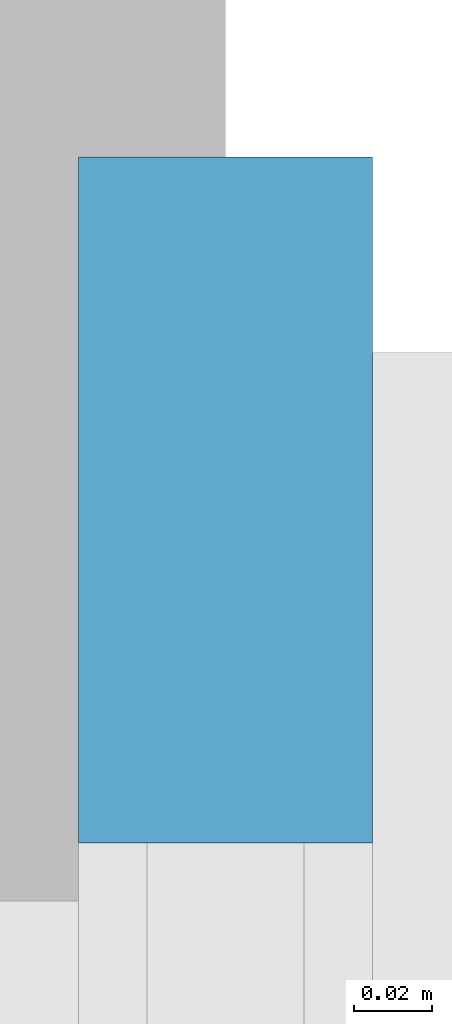
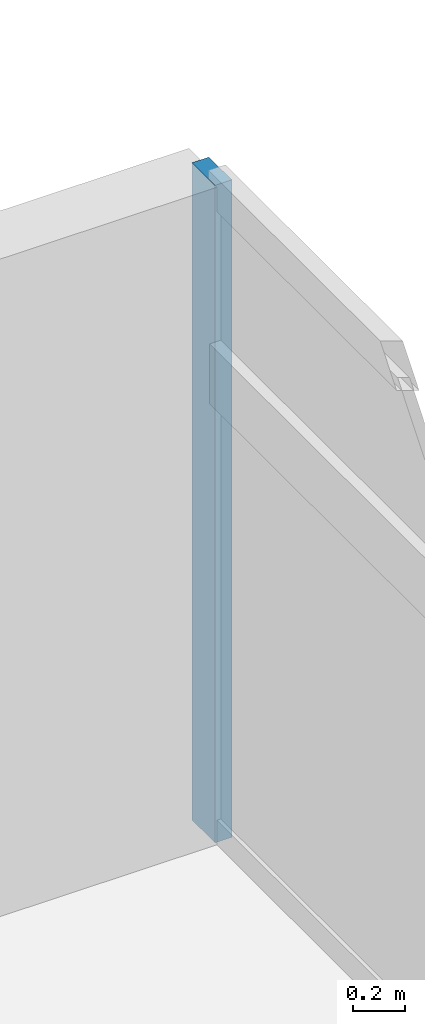
# One storey, part 6 of 14: 1 member, 1 element without a shape of its own.
"""IFC4 building model written with IfcOpenShell, lengths in metres."""

from ifc_helpers import new_model, si_unit, direction, frame, origin, origin_2d, place, context, subcontext, project, spatial, rectangle, extrude, material, material_profile, profile_set, type_object, element, aggregate, save


model = new_model("IFC4")

# Units and contexts
model_context = context("Model", 3, precision=1e-05, world=origin(), true_north=direction((0.0, 1.0)))
body_context = subcontext(model_context, "Body", "Model", "MODEL_VIEW")
ifc_project = project(units=[si_unit("LENGTHUNIT", "METRE"), si_unit("AREAUNIT", "SQUARE_METRE"), si_unit("VOLUMEUNIT", "CUBIC_METRE"), si_unit("PLANEANGLEUNIT", "RADIAN"), si_unit("MASSUNIT", "GRAM", prefix="KILO")], contexts=[model_context])

# Site, building, storey
site_placement = place(None, origin())
site = spatial("IfcSite", under=ifc_project, at=site_placement, CompositionType="ELEMENT")
building_placement = place(site_placement, origin())
building = spatial("IfcBuilding", under=site, at=building_placement, Name="Mirazonda Arch Towers", CompositionType="ELEMENT")
storey_placement = place(building_placement, frame((0.0, 0.0, 232.60009765625)))
storey = spatial("IfcBuildingStorey", under=building, at=storey_placement, Name="L66", CompositionType="ELEMENT", Elevation=232.60009765625)

# Curtain wall, member
ifc_material_1 = material(Name="Anodised Aluminium and Low-E Glass", Category="aluminium")
curtain_wall_type = type_object("IfcCurtainWallType", Name="CW-RES-UNIT", PredefinedType="NOTDEFINED", material=ifc_material_1)
curtain_wall_placement = place(storey_placement, origin())
curtain_wall = element("IfcCurtainWall", 1, at=curtain_wall_placement, inside=storey, type_object=curtain_wall_type, Name="L66 T1 E Facade CW-L66-T1-E", PredefinedType="NOTDEFINED")
ifc_material_2 = material(Name="Anodised Aluminium Alloy", Category="aluminium")
ifc_material_profile = material_profile(ifc_material_2, rectangle(XDim=0.074951171875, YDim=0.175048828125, at=origin_2d()), Name="ALU-MULL-75x175")
ifc_profile_set = profile_set([ifc_material_profile], Name="Anodised Aluminium Alloy")
member_type = type_object("IfcMemberType", Name="MULL-CW-RES-UNIT", PredefinedType="MULLION", material=ifc_profile_set)
member_placement = place(storey_placement, frame((41.699951171875, 41.50439453125, 0.0), z_axis=(0.0, 0.0, 1.0), x_axis=(-1.0, 0.0, 0.0)))
member = element("IfcMember", 2, at=member_placement, type_object=member_type, Name="CW-104 mullion 4", PredefinedType="MULLION", context=body_context, shape_type="SweptSolid", body=[
    extrude(rectangle(XDim=0.074951171875, YDim=0.175048828125, at=origin_2d()), origin(), (0.0, 0.0, 1.0), 3.079833984375),
])
aggregate(curtain_wall, [member])

save(model, "model.ifc")
